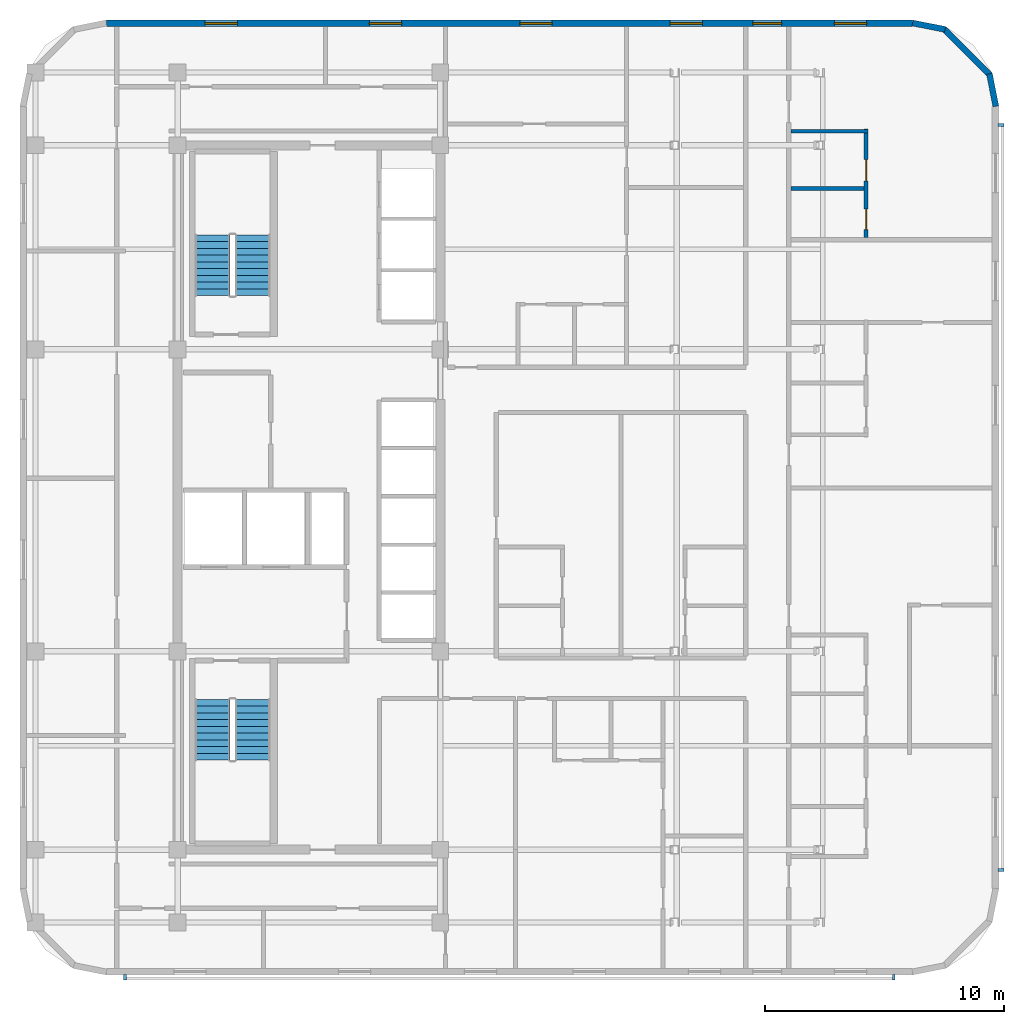
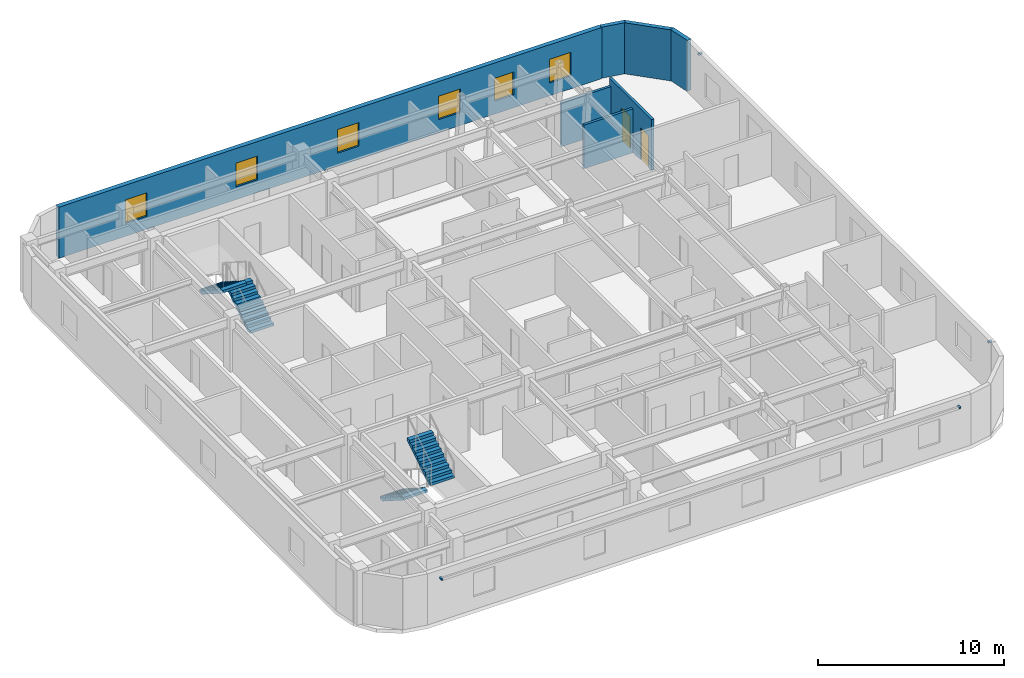
# One storey, part 7 of 10: 7 walls, 6 windows, 4 discrete accessories, 4 stair flights, 2 doors, 8 openings, 2 elements without a shape of their own.
"""IFC4 building model written with IfcOpenShell, lengths in metres."""

from ifc_helpers import new_model, si_unit, direction, frame, frame_2d, origin, origin_2d, place, context, subcontext, project, spatial, polyline, rectangle, outline, extrude, material, layer, layer_set, type_object, element, fill, aggregate, save


model = new_model("IFC4")

# Units and contexts
model_context = context("Model", 3, precision=1e-05, world=origin(), true_north=direction((0.0, 1.0)))
body_context = subcontext(model_context, "Body", "Model", "MODEL_VIEW")
ifc_project = project(units=[si_unit("LENGTHUNIT", "METRE"), si_unit("AREAUNIT", "SQUARE_METRE"), si_unit("VOLUMEUNIT", "CUBIC_METRE"), si_unit("PLANEANGLEUNIT", "RADIAN"), si_unit("MASSUNIT", "GRAM", prefix="KILO")], contexts=[model_context])

# Site, building, storey
site_placement = place(None, origin())
site = spatial("IfcSite", under=ifc_project, at=site_placement, CompositionType="ELEMENT")
building_placement = place(site_placement, origin())
building = spatial("IfcBuilding", under=site, at=building_placement, Name="Ochreholt Gables", CompositionType="ELEMENT")
storey_placement = place(building_placement, frame((0.0, 0.0, 144.60009765625)))
storey = spatial("IfcBuildingStorey", under=building, at=storey_placement, Name="L37", CompositionType="ELEMENT", Elevation=144.60009765625)

# Wall, openings, windows
ifc_material_1 = material(Name="Precast concrete 40 MPa", Category="concrete")
ifc_layer_1 = layer(ifc_material_1, 0.280029296875, Name="Precast concrete 40 MPa")
ifc_layer_set_1 = layer_set([ifc_layer_1], Name="Precast concrete 40 MPa")
wall_type_1 = type_object("IfcWallType", Name="WALL-EXT-280", PredefinedType="SOLIDWALL", material=ifc_layer_set_1)
wall_1_placement = place(storey_placement, frame((54.97998046875, 43.860107421875, 0.0), z_axis=(0.0, 0.0, 1.0), x_axis=(-1.0, 0.0, 0.0)))
wall_1 = element("IfcWall", 1, at=wall_1_placement, inside=storey, type_object=wall_type_1, Name="L37 North Exterior Wall", PredefinedType="SOLIDWALL", context=body_context, shape_type="SweptSolid", body=[
    extrude(rectangle(XDim=33.760009765625, YDim=0.280029296875, at=frame_2d((16.8798828125, 0.0))), origin(), (0.0, 0.0, 1.0), 3.35986328125),
])
opening_1_placement = place(wall_1_placement, frame((28.280029296875, 0.0, 0.85009765625)))
opening_1 = element("IfcOpeningElement", 2, at=opening_1_placement, cuts=wall_1, Name="Opening WN-8", PredefinedType="OPENING", context=body_context, shape_type="SweptSolid", body=[
    extrude(rectangle(XDim=1.35009765625, YDim=1.550048828125, at=frame_2d((0.675048828125, 0.77490234375))), frame((0.0, 0.14990234375, 0.0), z_axis=(0.0, -1.0, 0.0), x_axis=(1.0, 0.0, 0.0)), (0.0, 0.0, 1.0), 0.300048828125),
])
opening_2_placement = place(wall_1_placement, frame((21.39501953125, 0.0, 0.85009765625)))
opening_2 = element("IfcOpeningElement", 3, at=opening_2_placement, cuts=wall_1, Name="Opening WN-8", PredefinedType="OPENING", context=body_context, shape_type="SweptSolid", body=[
    extrude(rectangle(XDim=1.35009765625, YDim=1.550048828125, at=frame_2d((0.675048828125, 0.77490234375))), frame((0.0, 0.14990234375, 0.0), z_axis=(0.0, -1.0, 0.0), x_axis=(1.0, 0.0, 0.0)), (0.0, 0.0, 1.0), 0.300048828125),
])
opening_3_placement = place(wall_1_placement, frame((15.090087890625, 0.0, 0.85009765625)))
opening_3 = element("IfcOpeningElement", 4, at=opening_3_placement, cuts=wall_1, Name="Opening WN-8", PredefinedType="OPENING", context=body_context, shape_type="SweptSolid", body=[
    extrude(rectangle(XDim=1.35009765625, YDim=1.550048828125, at=frame_2d((0.675048828125, 0.77490234375))), frame((0.0, 0.14990234375, 0.0), z_axis=(0.0, -1.0, 0.0), x_axis=(1.0, 0.0, 0.0)), (0.0, 0.0, 1.0), 0.300048828125),
])
opening_4_placement = place(wall_1_placement, frame((8.800048828125, 0.0, 0.85009765625)))
opening_4 = element("IfcOpeningElement", 5, at=opening_4_placement, cuts=wall_1, Name="Opening WN-8", PredefinedType="OPENING", context=body_context, shape_type="SweptSolid", body=[
    extrude(rectangle(XDim=1.35009765625, YDim=1.550048828125, at=frame_2d((0.675048828125, 0.77490234375))), frame((0.0, 0.14990234375, 0.0), z_axis=(0.0, -1.0, 0.0), x_axis=(1.0, 0.0, 0.0)), (0.0, 0.0, 1.0), 0.300048828125),
])
opening_5_placement = place(wall_1_placement, frame((5.47998046875, 0.0, 0.85009765625)))
opening_5 = element("IfcOpeningElement", 6, at=opening_5_placement, cuts=wall_1, Name="Opening WN-3", PredefinedType="OPENING", context=body_context, shape_type="SweptSolid", body=[
    extrude(rectangle(XDim=1.199951171875, YDim=1.5, at=frame_2d((0.60009765625, 0.75))), frame((0.0, 0.14990234375, 0.0), z_axis=(0.0, -1.0, 0.0), x_axis=(1.0, 0.0, 0.0)), (0.0, 0.0, 1.0), 0.300048828125),
])
opening_6_placement = place(wall_1_placement, frame((1.9150390625, 0.0, 0.85009765625)))
opening_6 = element("IfcOpeningElement", 7, at=opening_6_placement, cuts=wall_1, Name="Opening WN-8", PredefinedType="OPENING", context=body_context, shape_type="SweptSolid", body=[
    extrude(rectangle(XDim=1.35009765625, YDim=1.550048828125, at=frame_2d((0.675048828125, 0.77490234375))), frame((0.0, 0.14990234375, 0.0), z_axis=(0.0, -1.0, 0.0), x_axis=(1.0, 0.0, 0.0)), (0.0, 0.0, 1.0), 0.300048828125),
])
ifc_material_2 = material(Name="Triple-Glazed Thermally Broken Aluminium Window", Category="aluminium")
window_type_1 = type_object("IfcWindowType", Name="WIN-RES-1200", PartitioningType="SINGLE_PANEL", PredefinedType="WINDOW", material=ifc_material_2)
window_1_placement = place(opening_5_placement, origin())
window_1 = element("IfcWindow", 8, at=window_1_placement, inside=storey, type_object=window_type_1, Name="L37 Window W-EXT-N-L37-5", OverallHeight=1.5, OverallWidth=1.199951171875, PartitioningType="SINGLE_PANEL", PredefinedType="WINDOW", context=body_context, shape_type="SweptSolid", body=[
    extrude(rectangle(XDim=1.199951171875, YDim=1.5, at=frame_2d((0.60009765625, 0.75))), frame((0.0, 0.030029296875, 0.0), z_axis=(0.0, -1.0, 0.0), x_axis=(1.0, 0.0, 0.0)), (0.0, 0.0, 1.0), 0.06005859375),
])
fill(opening_5, window_1)
window_type_2 = type_object("IfcWindowType", Name="WIN-RES-1350", PartitioningType="SINGLE_PANEL", PredefinedType="WINDOW", material=ifc_material_2)
window_2_placement = place(opening_1_placement, origin())
window_2 = element("IfcWindow", 9, at=window_2_placement, inside=storey, type_object=window_type_2, Name="L37 Window W-EXT-N-L37-1", OverallHeight=1.550048828125, OverallWidth=1.35009765625, PartitioningType="SINGLE_PANEL", PredefinedType="WINDOW", context=body_context, shape_type="SweptSolid", body=[
    extrude(rectangle(XDim=1.35009765625, YDim=1.550048828125, at=frame_2d((0.675048828125, 0.77490234375))), frame((0.0, 0.030029296875, 0.0), z_axis=(0.0, -1.0, 0.0), x_axis=(1.0, 0.0, 0.0)), (0.0, 0.0, 1.0), 0.06005859375),
])
fill(opening_1, window_2)
window_3_placement = place(opening_2_placement, origin())
window_3 = element("IfcWindow", 10, at=window_3_placement, inside=storey, type_object=window_type_2, Name="L37 Window W-EXT-N-L37-2", OverallHeight=1.550048828125, OverallWidth=1.35009765625, PartitioningType="SINGLE_PANEL", PredefinedType="WINDOW", context=body_context, shape_type="SweptSolid", body=[
    extrude(rectangle(XDim=1.35009765625, YDim=1.550048828125, at=frame_2d((0.675048828125, 0.77490234375))), frame((0.0, 0.030029296875, 0.0), z_axis=(0.0, -1.0, 0.0), x_axis=(1.0, 0.0, 0.0)), (0.0, 0.0, 1.0), 0.06005859375),
])
fill(opening_2, window_3)
window_4_placement = place(opening_3_placement, origin())
window_4 = element("IfcWindow", 11, at=window_4_placement, inside=storey, type_object=window_type_2, Name="L37 Window W-EXT-N-L37-3", OverallHeight=1.550048828125, OverallWidth=1.35009765625, PartitioningType="SINGLE_PANEL", PredefinedType="WINDOW", context=body_context, shape_type="SweptSolid", body=[
    extrude(rectangle(XDim=1.35009765625, YDim=1.550048828125, at=frame_2d((0.675048828125, 0.77490234375))), frame((0.0, 0.030029296875, 0.0), z_axis=(0.0, -1.0, 0.0), x_axis=(1.0, 0.0, 0.0)), (0.0, 0.0, 1.0), 0.06005859375),
])
fill(opening_3, window_4)
window_5_placement = place(opening_4_placement, origin())
window_5 = element("IfcWindow", 12, at=window_5_placement, inside=storey, type_object=window_type_2, Name="L37 Window W-EXT-N-L37-4", OverallHeight=1.550048828125, OverallWidth=1.35009765625, PartitioningType="SINGLE_PANEL", PredefinedType="WINDOW", context=body_context, shape_type="SweptSolid", body=[
    extrude(rectangle(XDim=1.35009765625, YDim=1.550048828125, at=frame_2d((0.675048828125, 0.77490234375))), frame((0.0, 0.030029296875, 0.0), z_axis=(0.0, -1.0, 0.0), x_axis=(1.0, 0.0, 0.0)), (0.0, 0.0, 1.0), 0.06005859375),
])
fill(opening_4, window_5)
window_6_placement = place(opening_6_placement, origin())
window_6 = element("IfcWindow", 13, at=window_6_placement, inside=storey, type_object=window_type_2, Name="L37 Window W-EXT-N-L37-6", OverallHeight=1.550048828125, OverallWidth=1.35009765625, PartitioningType="SINGLE_PANEL", PredefinedType="WINDOW", context=body_context, shape_type="SweptSolid", body=[
    extrude(rectangle(XDim=1.35009765625, YDim=1.550048828125, at=frame_2d((0.675048828125, 0.77490234375))), frame((0.0, 0.030029296875, 0.0), z_axis=(0.0, -1.0, 0.0), x_axis=(1.0, 0.0, 0.0)), (0.0, 0.0, 1.0), 0.06005859375),
])
fill(opening_6, window_6)

# Walls
ifc_layer_2 = layer(ifc_material_1, 0.25, Name="Precast concrete 40 MPa")
ifc_layer_set_2 = layer_set([ifc_layer_2], Name="Precast concrete 40 MPa")
wall_type_2 = type_object("IfcWallType", Name="WALL-EXT-CNR", PredefinedType="SOLIDWALL", material=ifc_layer_set_2)
wall_2_placement = place(storey_placement, frame((58.475830078125, 40.383544921875, 0.0), z_axis=(0.0, 0.0, 1.0), x_axis=(-0.19496651342, 0.980809899341, 0.0)))
element("IfcWall", 14, at=wall_2_placement, inside=storey, type_object=wall_type_2, Name="L37 Rounded Corner Wall NE-1", PredefinedType="SOLIDWALL", context=body_context, shape_type="SweptSolid", body=[
    extrude(rectangle(XDim=1.388671875, YDim=0.25, at=frame_2d((0.6943359375, 0.0))), origin(), (0.0, 0.0, 1.0), 3.35986328125),
])
wall_3_placement = place(storey_placement, frame((58.23193359375, 41.695068359375, 0.0), z_axis=(0.0, 0.0, 1.0), x_axis=(-0.707106781187, 0.707106781187, 0.0)))
element("IfcWall", 15, at=wall_3_placement, inside=storey, type_object=wall_type_2, Name="L37 Rounded Corner Wall NE-2", PredefinedType="SOLIDWALL", context=body_context, shape_type="SweptSolid", body=[
    extrude(rectangle(XDim=2.7392578125, YDim=0.25, at=frame_2d((1.36962890625, 0.0))), origin(), (0.0, 0.0, 1.0), 3.35986328125),
])
wall_4_placement = place(storey_placement, frame((56.345458984375, 43.60498046875, 0.0), z_axis=(0.0, 0.0, 1.0), x_axis=(-0.980809899341, 0.19496651342, 0.0)))
element("IfcWall", 16, at=wall_4_placement, inside=storey, type_object=wall_type_2, Name="L37 Rounded Corner Wall NE-3", PredefinedType="SOLIDWALL", context=body_context, shape_type="SweptSolid", body=[
    extrude(rectangle(XDim=1.388671875, YDim=0.25, at=frame_2d((0.6943359375, 0.0))), origin(), (0.0, 0.0, 1.0), 3.35986328125),
])
ifc_material_3 = material(Name="Moisture-Resistant Plumbing Chase Wall", Category="gypsum")
ifc_layer_3 = layer(ifc_material_3, 0.159912109375, Name="Moisture-Resistant Plumbing Chase Wall")
ifc_layer_set_3 = layer_set([ifc_layer_3], Name="Moisture-Resistant Plumbing Chase Wall")
wall_type_3 = type_object("IfcWallType", Name="WALL-INT-PL160", PredefinedType="PLUMBINGWALL", material=ifc_layer_set_3)
wall_5_placement = place(storey_placement, frame((49.889892578125, 39.340087890625, 0.0), z_axis=(0.0, 0.0, 1.0), x_axis=(1.0, 0.0, 0.0)))
element("IfcWall", 17, at=wall_5_placement, inside=storey, type_object=wall_type_3, Name="L37 Interior Wall WU-L37FE4-WYN", PredefinedType="PLUMBINGWALL", context=body_context, shape_type="SweptSolid", body=[
    extrude(rectangle(XDim=3.230224609375, YDim=0.159912109375, at=frame_2d((1.615234375, 0.0))), origin(), (0.0, 0.0, 1.0), 2.87890625),
])

# Wall, openings, doors
wall_6_placement = place(storey_placement, frame((53.0400390625, 34.889892578125, 0.0), z_axis=(0.0, 0.0, 1.0), x_axis=(0.0, 1.0, 0.0)))
wall_6 = element("IfcWall", 18, at=wall_6_placement, inside=storey, type_object=wall_type_3, Name="L37 Interior Wall WU-L37FE4-WX", PredefinedType="PLUMBINGWALL", context=body_context, shape_type="SweptSolid", body=[
    extrude(rectangle(XDim=4.5400390625, YDim=0.159912109375, at=frame_2d((2.27001953125, 0.0))), origin(), (0.0, 0.0, 1.0), 3.35986328125),
])
opening_7_placement = place(wall_6_placement, frame((0.330078125, 0.0, 0.0)))
opening_7 = element("IfcOpeningElement", 19, at=opening_7_placement, cuts=wall_6, Name="Opening D-BT1", PredefinedType="OPENING", context=body_context, shape_type="SweptSolid", body=[
    extrude(rectangle(XDim=0.860107421875, YDim=2.1201171875, at=frame_2d((0.43017578125, 1.06005859375))), frame((0.0, 0.08984375, 0.0), z_axis=(0.0, -1.0, 0.0), x_axis=(1.0, 0.0, 0.0)), (0.0, 0.0, 1.0), 0.179931640625),
])
opening_8_placement = place(wall_6_placement, frame((2.376953125, 0.0, 0.0)))
opening_8 = element("IfcOpeningElement", 20, at=opening_8_placement, cuts=wall_6, Name="Opening D-GN2", PredefinedType="OPENING", context=body_context, shape_type="SweptSolid", body=[
    extrude(rectangle(XDim=0.8798828125, YDim=2.1201171875, at=frame_2d((0.43994140625, 1.06005859375))), frame((0.0, 0.08984375, 0.0), z_axis=(0.0, -1.0, 0.0), x_axis=(1.0, 0.0, 0.0)), (0.0, 0.0, 1.0), 0.179931640625),
])
ifc_material_4 = material(Name="Engineered Oak Timber", Category="wood")
door_type_1 = type_object("IfcDoorType", Name="DR-INT-BTH860", OperationType="NOTDEFINED", PredefinedType="DOOR", material=ifc_material_4)
door_1_placement = place(opening_7_placement, origin())
door_1 = element("IfcDoor", 21, at=door_1_placement, inside=storey, type_object=door_type_1, Name="L37 Door D-U-L37FE4-BTH", OperationType="SINGLE_SWING_RIGHT", OverallHeight=2.1201171875, OverallWidth=0.860107421875, PredefinedType="DOOR", context=body_context, shape_type="SweptSolid", body=[
    extrude(rectangle(XDim=0.860107421875, YDim=2.1201171875, at=frame_2d((0.43017578125, 1.06005859375))), frame((0.0, 0.02490234375, 0.0), z_axis=(0.0, -1.0, 0.0), x_axis=(1.0, 0.0, 0.0)), (0.0, 0.0, 1.0), 0.050048828125),
])
fill(opening_7, door_1)
door_type_2 = type_object("IfcDoorType", Name="DR-INT-GEN880", OperationType="NOTDEFINED", PredefinedType="DOOR", material=ifc_material_4)
door_2_placement = place(opening_8_placement, origin())
door_2 = element("IfcDoor", 22, at=door_2_placement, inside=storey, type_object=door_type_2, Name="L37 Door D-U-L37FE4-KIT", OperationType="SINGLE_SWING_LEFT", OverallHeight=2.1201171875, OverallWidth=0.8798828125, PredefinedType="DOOR", context=body_context, shape_type="SweptSolid", body=[
    extrude(rectangle(XDim=0.8798828125, YDim=2.1201171875, at=frame_2d((0.43994140625, 1.06005859375))), frame((0.0, 0.02490234375, 0.0), z_axis=(0.0, -1.0, 0.0), x_axis=(1.0, 0.0, 0.0)), (0.0, 0.0, 1.0), 0.050048828125),
])
fill(opening_8, door_2)

# Wall
wall_7_placement = place(storey_placement, frame((49.889892578125, 36.93701171875, 0.0), z_axis=(0.0, 0.0, 1.0), x_axis=(1.0, 0.0, 0.0)))
element("IfcWall", 23, at=wall_7_placement, inside=storey, type_object=wall_type_3, Name="L37 Interior Wall WU-L37FE4-WM", PredefinedType="PLUMBINGWALL", context=body_context, shape_type="SweptSolid", body=[
    extrude(rectangle(XDim=3.070068359375, YDim=0.159912109375, at=frame_2d((1.53515625, 0.0))), origin(), (0.0, 0.0, 1.0), 2.87890625),
])

# Stair, stair flights
ifc_material_5 = material(Name="Concrete 40 MPa", Category="concrete")
stair_type_1 = type_object("IfcStairType", Name="STAIR-CORE-ST-1", PredefinedType="HALF_TURN_STAIR", material=ifc_material_5)
stair_1_placement = place(storey_placement, origin())
stair_1 = element("IfcStair", 24, at=stair_1_placement, inside=storey, type_object=stair_type_1, Name="L37 Core Exit Stair 1", PredefinedType="HALF_TURN_STAIR")
stair_flight_type = type_object("IfcStairFlightType", Name="FLIGHT-ST-1480-1800", PredefinedType="STRAIGHT", material=ifc_material_5)
stair_flight_1_placement = place(storey_placement, frame((25.659912109375, 15.5400390625, 0.0), z_axis=(0.0, 0.0, 1.0), x_axis=(0.0, -1.0, 0.0)))
stair_flight_1 = element("IfcStairFlight", 25, at=stair_flight_1_placement, type_object=stair_flight_type, Name="ST-1 flight 1", NumberOfRisers=10, NumberOfTreads=9, PredefinedType="STRAIGHT", RiserHeight=0.18, TreadLength=0.282, context=body_context, shape_type="SweptSolid", body=[
    extrude(outline(polyline([(0.0, 0.0), (0.0, 0.179931640625), (0.281982421875, 0.179931640625), (0.281982421875, 0.360107421875), (0.56396484375, 0.360107421875), (0.56396484375, 0.5400390625), (0.845947265625, 0.5400390625), (0.845947265625, 0.719970703125), (1.1279296875, 0.719970703125), (1.1279296875, 0.89990234375), (1.409912109375, 0.89990234375), (1.409912109375, 1.080078125), (1.69189453125, 1.080078125), (1.69189453125, 1.260009765625), (1.97412109375, 1.260009765625), (1.97412109375, 1.43994140625), (2.256103515625, 1.43994140625), (2.256103515625, 1.6201171875), (2.5380859375, 1.6201171875), (2.5380859375, 1.800048828125), (2.5380859375, 1.442138671875), (0.278564453125, 0.0), (0.0, 0.0)])), frame((0.0, 0.739990234375, 0.0), z_axis=(0.0, -1.0, 0.0), x_axis=(1.0, 0.0, 0.0)), (0.0, 0.0, 1.0), 1.47998046875),
])
stair_flight_2_placement = place(storey_placement, frame((27.340087890625, 13.001953125, 1.7998046875), z_axis=(0.0, 0.0, 1.0), x_axis=(0.0, 1.0, 0.0)))
stair_flight_2 = element("IfcStairFlight", 26, at=stair_flight_2_placement, type_object=stair_flight_type, Name="ST-1 flight 2", NumberOfRisers=10, NumberOfTreads=9, PredefinedType="STRAIGHT", RiserHeight=0.18, TreadLength=0.282, context=body_context, shape_type="SweptSolid", body=[
    extrude(outline(polyline([(0.0, 0.0), (0.0, 0.179931640625), (0.281982421875, 0.179931640625), (0.281982421875, 0.360107421875), (0.56396484375, 0.360107421875), (0.56396484375, 0.5400390625), (0.845947265625, 0.5400390625), (0.845947265625, 0.719970703125), (1.1279296875, 0.719970703125), (1.1279296875, 0.89990234375), (1.409912109375, 0.89990234375), (1.409912109375, 1.080078125), (1.69189453125, 1.080078125), (1.69189453125, 1.260009765625), (1.97412109375, 1.260009765625), (1.97412109375, 1.43994140625), (2.256103515625, 1.43994140625), (2.256103515625, 1.6201171875), (2.5380859375, 1.6201171875), (2.5380859375, 1.800048828125), (2.5380859375, 1.442138671875), (0.278564453125, 0.0), (0.0, 0.0)])), frame((0.0, 0.739990234375, 0.0), z_axis=(0.0, -1.0, 0.0), x_axis=(1.0, 0.0, 0.0)), (0.0, 0.0, 1.0), 1.47998046875),
])
aggregate(stair_1, [stair_flight_1, stair_flight_2])

stair_type_2 = type_object("IfcStairType", Name="STAIR-CORE-ST-2", PredefinedType="HALF_TURN_STAIR", material=ifc_material_5)
stair_2_placement = place(storey_placement, origin())
stair_2 = element("IfcStair", 27, at=stair_2_placement, inside=storey, type_object=stair_type_2, Name="L37 Core Exit Stair 2", PredefinedType="HALF_TURN_STAIR")
stair_flight_3_placement = place(storey_placement, frame((27.340087890625, 32.4599609375, 0.0), z_axis=(0.0, 0.0, 1.0), x_axis=(0.0, 1.0, 0.0)))
stair_flight_3 = element("IfcStairFlight", 28, at=stair_flight_3_placement, type_object=stair_flight_type, Name="ST-2 flight 1", NumberOfRisers=10, NumberOfTreads=9, PredefinedType="STRAIGHT", RiserHeight=0.18, TreadLength=0.282, context=body_context, shape_type="SweptSolid", body=[
    extrude(outline(polyline([(0.0, 0.0), (0.0, 0.179931640625), (0.281982421875, 0.179931640625), (0.281982421875, 0.360107421875), (0.56396484375, 0.360107421875), (0.56396484375, 0.5400390625), (0.845947265625, 0.5400390625), (0.845947265625, 0.719970703125), (1.1279296875, 0.719970703125), (1.1279296875, 0.89990234375), (1.409912109375, 0.89990234375), (1.409912109375, 1.080078125), (1.69189453125, 1.080078125), (1.69189453125, 1.260009765625), (1.97412109375, 1.260009765625), (1.97412109375, 1.43994140625), (2.256103515625, 1.43994140625), (2.256103515625, 1.6201171875), (2.5380859375, 1.6201171875), (2.5380859375, 1.800048828125), (2.5380859375, 1.442138671875), (0.278564453125, 0.0), (0.0, 0.0)])), frame((0.0, 0.739990234375, 0.0), z_axis=(0.0, -1.0, 0.0), x_axis=(1.0, 0.0, 0.0)), (0.0, 0.0, 1.0), 1.47998046875),
])
stair_flight_4_placement = place(storey_placement, frame((25.659912109375, 34.998046875, 1.7998046875), z_axis=(0.0, 0.0, 1.0), x_axis=(0.0, -1.0, 0.0)))
stair_flight_4 = element("IfcStairFlight", 29, at=stair_flight_4_placement, type_object=stair_flight_type, Name="ST-2 flight 2", NumberOfRisers=10, NumberOfTreads=9, PredefinedType="STRAIGHT", RiserHeight=0.18, TreadLength=0.282, context=body_context, shape_type="SweptSolid", body=[
    extrude(outline(polyline([(0.0, 0.0), (0.0, 0.179931640625), (0.281982421875, 0.179931640625), (0.281982421875, 0.360107421875), (0.56396484375, 0.360107421875), (0.56396484375, 0.5400390625), (0.845947265625, 0.5400390625), (0.845947265625, 0.719970703125), (1.1279296875, 0.719970703125), (1.1279296875, 0.89990234375), (1.409912109375, 0.89990234375), (1.409912109375, 1.080078125), (1.69189453125, 1.080078125), (1.69189453125, 1.260009765625), (1.97412109375, 1.260009765625), (1.97412109375, 1.43994140625), (2.256103515625, 1.43994140625), (2.256103515625, 1.6201171875), (2.5380859375, 1.6201171875), (2.5380859375, 1.800048828125), (2.5380859375, 1.442138671875), (0.278564453125, 0.0), (0.0, 0.0)])), frame((0.0, 0.739990234375, 0.0), z_axis=(0.0, -1.0, 0.0), x_axis=(1.0, 0.0, 0.0)), (0.0, 0.0, 1.0), 1.47998046875),
])
aggregate(stair_2, [stair_flight_3, stair_flight_4])

# Discrete accessories
ifc_material_6 = material(Name="Extruded Aluminium Standoff Bracket", Category="aluminium")
discrete_accessory_type = type_object("IfcDiscreteAccessoryType", Name="ACC-BRACKET-AL", PredefinedType="BRACKET", material=ifc_material_6)
for number, where, z_axis, x_axis, name in (
    (30, (22.0, 3.909912109375, 2.77978515625), (0.0, 0.0, 1.0), (1.0, 0.0, 0.0), "L37 Baguette Standoff Bracket S1-1"),
    (31, (54.199951171875, 3.909912109375, 2.77978515625), (0.0, 0.0, 1.0), (1.0, 0.0, 0.0), "L37 Baguette Standoff Bracket S1-2"),
    (32, (58.68994140625, 8.39990234375, 2.77978515625), (0.0, 0.0, 1.0), (0.0, 1.0, 0.0), "L37 Baguette Standoff Bracket E1-1"),
    (33, (58.68994140625, 39.60009765625, 2.77978515625), (0.0, 0.0, 1.0), (0.0, 1.0, 0.0), "L37 Baguette Standoff Bracket E1-2"),
):
    element("IfcDiscreteAccessory", number, at=place(storey_placement, frame(where, z_axis=z_axis, x_axis=x_axis)), inside=storey, type_object=discrete_accessory_type, Name=name, PredefinedType="BRACKET", context=body_context, shape_type="SweptSolid", body=[
        extrude(rectangle(XDim=0.1201171875, YDim=0.239990234375, at=origin_2d()), origin(), (0.0, 0.0, 1.0), 0.1201171875),
    ])

save(model, "model.ifc")
